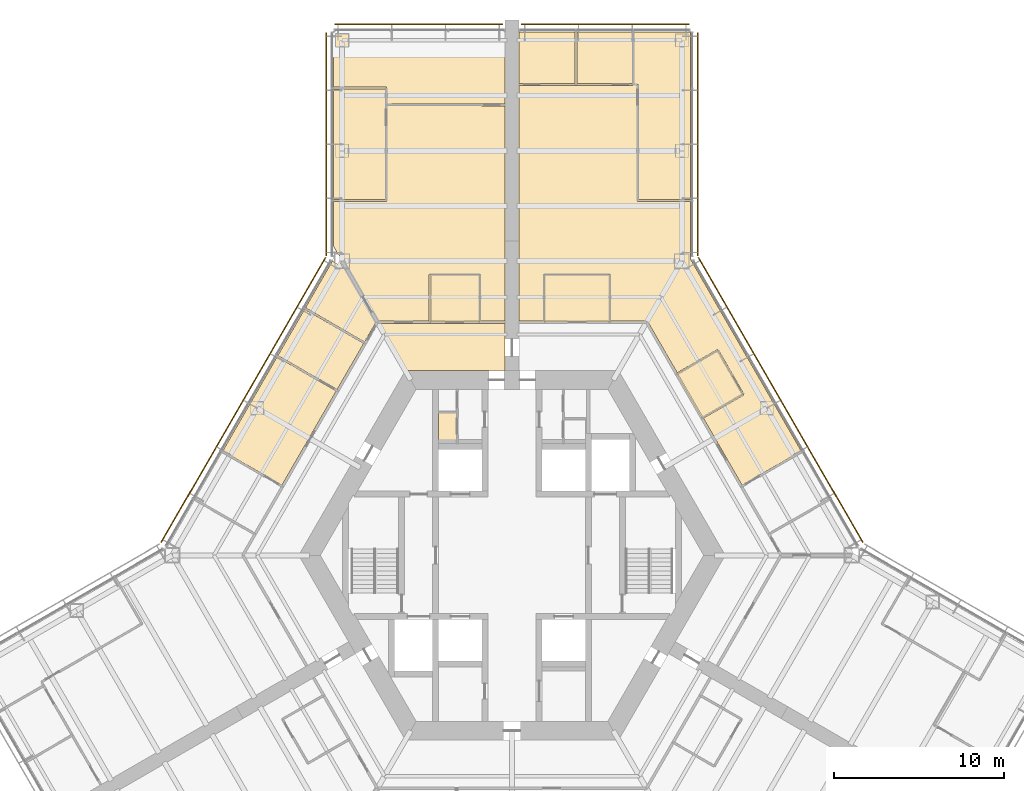
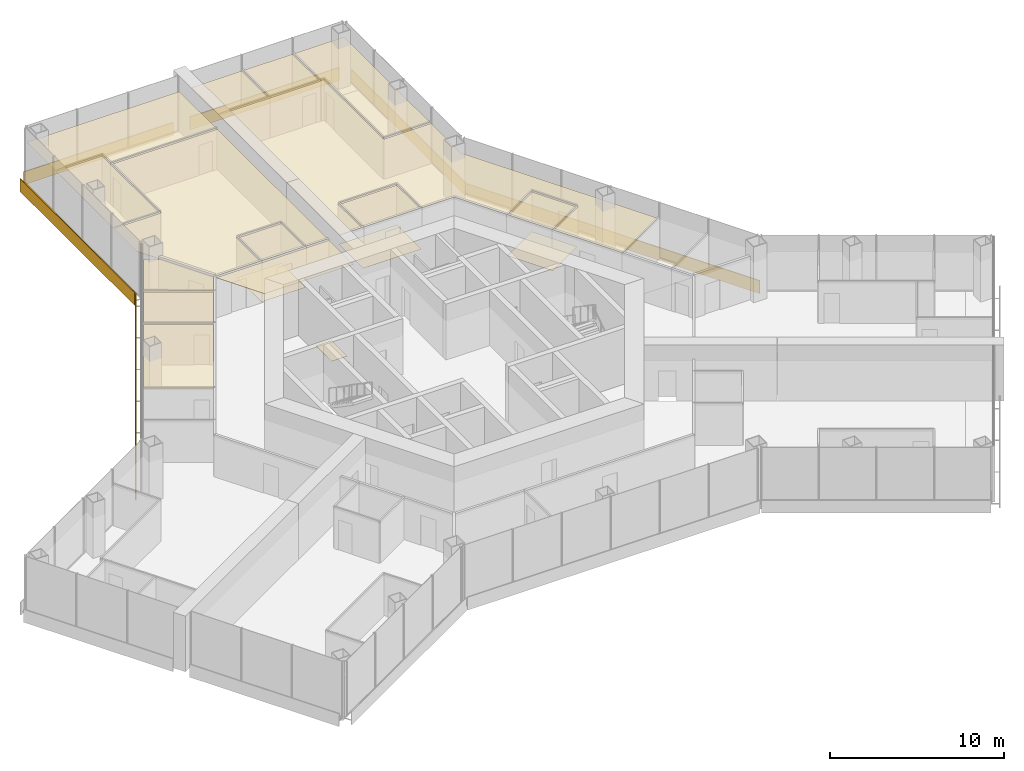
# One storey, part 19 of 19: 18 coverings, 6 shading devices.
"""IFC4 building model written with IfcOpenShell, lengths in metres."""

from ifc_helpers import new_model, si_unit, direction, frame, origin, origin_2d, place, context, subcontext, project, spatial, polyline, rectangle, outline, extrude, material, layer, layer_set, type_object, element, save


model = new_model("IFC4")

# Units and contexts
model_context = context("Model", 3, precision=1e-05, world=origin(), true_north=direction((0.0, 1.0)))
body_context = subcontext(model_context, "Body", "Model", "MODEL_VIEW")
ifc_project = project(units=[si_unit("LENGTHUNIT", "METRE"), si_unit("AREAUNIT", "SQUARE_METRE"), si_unit("VOLUMEUNIT", "CUBIC_METRE"), si_unit("PLANEANGLEUNIT", "RADIAN"), si_unit("MASSUNIT", "GRAM", prefix="KILO")], contexts=[model_context])

# Site, building, storey
site_placement = place(None, origin())
site = spatial("IfcSite", under=ifc_project, at=site_placement, CompositionType="ELEMENT")
building_placement = place(site_placement, origin())
building = spatial("IfcBuilding", under=site, at=building_placement, Name="Kasaneha Research Tower", CompositionType="ELEMENT")
storey_placement = place(building_placement, frame((0.0, 0.0, 100.199951171875)))
storey = spatial("IfcBuildingStorey", under=building, at=storey_placement, Name="L25", CompositionType="ELEMENT", Elevation=100.199951171875)

# Coverings
ifc_material_1 = material(Name="Gypsum ceiling board", Category="gypsum")
ifc_layer_1 = layer(ifc_material_1, 0.02001953125)
ifc_layer_set_1 = layer_set([ifc_layer_1], Name="Suspended ceiling 20")
covering_type_1 = type_object("IfcCoveringType", Name="Suspended ceiling 20", PredefinedType="CEILING", material=ifc_layer_set_1)
covering_1_placement = place(storey_placement, frame((0.0, 0.0, 2.800048828125)))
element("IfcCovering", 1, at=covering_1_placement, inside=storey, type_object=covering_type_1, Name="Ceiling L25-27", PredefinedType="CEILING", context=body_context, shape_type="SweptSolid", body=[
    extrude(outline(polyline([(1.954345703125, 13.800048828125), (1.9501953125, 16.47509765625), (5.70703125, 16.47509765625), (5.70263671875, 13.800048828125), (1.954345703125, 13.800048828125)])), origin(), (0.0, 0.0, 1.0), 0.02001953125),
])
covering_2_placement = place(storey_placement, frame((0.0, 0.0, 2.800048828125)))
element("IfcCovering", 2, at=covering_2_placement, inside=storey, type_object=covering_type_1, Name="Ceiling L25-28", PredefinedType="CEILING", context=body_context, shape_type="SweptSolid", body=[
    extrude(outline(polyline([(9.7783203125, 10.663330078125), (12.0927734375, 12.004638671875), (13.542724609375, 9.4931640625), (11.223876953125, 8.159423828125), (9.7783203125, 10.663330078125)])), origin(), (0.0, 0.0, 1.0), 0.02001953125),
])
covering_3_placement = place(storey_placement, frame((0.0, 0.0, 2.800048828125)))
element("IfcCovering", 3, at=covering_3_placement, inside=storey, type_object=covering_type_1, Name="Ceiling L25-29", PredefinedType="CEILING", context=body_context, shape_type="SweptSolid", body=[
    extrude(outline(polyline([(7.39892578125, 27.719482421875), (7.13330078125, 27.719970703125), (7.13330078125, 27.719970703125), (7.188232421875, 27.719970703125), (7.18359375, 30.800537109375), (7.1337890625, 30.800537109375), (7.1337890625, 30.821044921875), (10.50048828125, 30.820556640625), (10.5, 20.89111328125), (10.5, 20.941162109375), (7.449951171875, 20.941162109375), (7.448974609375, 27.719482421875), (7.39892578125, 27.719482421875), (7.39892578125, 27.719482421875)])), origin(), (0.0, 0.0, 1.0), 0.02001953125),
])
covering_4_placement = place(storey_placement, frame((0.0, 0.0, 2.800048828125)))
element("IfcCovering", 4, at=covering_4_placement, inside=storey, type_object=covering_type_1, Name="Ceiling L25-30", PredefinedType="CEILING", context=body_context, shape_type="SweptSolid", body=[
    extrude(outline(polyline([(7.13330078125, 30.820556640625), (7.13330078125, 30.800537109375), (7.083740234375, 30.800537109375), (7.088134765625, 27.7744140625), (3.821533203125, 27.77490234375), (3.816650390625, 30.800537109375), (3.7666015625, 30.800537109375), (3.7666015625, 30.820556640625), (7.13330078125, 30.820556640625)])), origin(), (0.0, 0.0, 1.0), 0.02001953125),
])
covering_5_placement = place(storey_placement, frame((0.0, 0.0, 2.800048828125)))
element("IfcCovering", 5, at=covering_5_placement, inside=storey, type_object=covering_type_1, Name="Ceiling L25-31", PredefinedType="CEILING", context=body_context, shape_type="SweptSolid", body=[
    extrude(outline(polyline([(3.7666015625, 30.820556640625), (3.7666015625, 30.800537109375), (3.716796875, 30.800537109375), (3.7216796875, 27.774658203125), (0.419921875, 27.7705078125), (0.419921875, 27.720458984375), (0.39990234375, 27.720458984375), (0.39990234375, 30.820556640625), (3.7666015625, 30.820556640625)])), origin(), (0.0, 0.0, 1.0), 0.02001953125),
])
covering_6_placement = place(storey_placement, frame((0.0, 0.0, 2.800048828125)))
element("IfcCovering", 6, at=covering_6_placement, inside=storey, type_object=covering_type_1, Name="Ceiling L25-34", PredefinedType="CEILING", context=body_context, shape_type="SweptSolid", body=[
    extrude(outline(polyline([(13.611572265625, 9.474853515625), (13.611328125, 9.47509765625), (13.654296875, 9.5), (12.154296875, 12.097900390625), (12.111572265625, 12.0732421875), (12.111328125, 12.073486328125), (12.111083984375, 12.0732421875), (12.0859375, 12.1162109375), (9.728271484375, 10.75), (7.989013671875, 13.762451171875), (7.924560546875, 13.725341796875), (7.924560546875, 13.725341796875), (7.924072265625, 13.725341796875), (7.924072265625, 13.800048828125), (5.802734375, 13.800048828125), (5.806884765625, 16.52490234375), (5.757080078125, 16.52490234375), (5.757080078125, 16.525390625), (5.757080078125, 16.525390625), (5.757080078125, 16.574951171875), (1.89990234375, 16.574951171875), (1.89990234375, 16.525390625), (1.899658203125, 16.525390625), (1.899658203125, 16.52490234375), (1.85009765625, 16.52490234375), (1.8544921875, 13.800048828125), (0.419921875, 13.800048828125), (0.419921875, 13.7255859375), (0.39990234375, 13.7255859375), (0.39990234375, 27.719970703125), (0.419921875, 27.719970703125), (0.420166015625, 27.67041015625), (3.766845703125, 27.6748046875), (7.13330078125, 27.674560546875), (7.13330078125, 27.719482421875), (7.39892578125, 27.719482421875), (7.39892578125, 27.719482421875), (7.34912109375, 27.719482421875), (7.35009765625, 20.89111328125), (7.399658203125, 20.89111328125), (7.399658203125, 20.890869140625), (7.39990234375, 20.890869140625), (7.39990234375, 20.841064453125), (10.5, 20.841064453125), (10.5, 17.45458984375), (17.055908203125, 6.09912109375), (17.055908203125, 6.09912109375), (17.03125, 6.14208984375), (13.551513671875, 4.128173828125), (11.27392578125, 8.072998046875), (13.635986328125, 9.431640625), (13.611328125, 9.474609375), (13.611572265625, 9.474853515625)])), origin(), (0.0, 0.0, 1.0), 0.02001953125),
])
covering_7_placement = place(storey_placement, frame((0.0, 0.0, 2.800048828125)))
element("IfcCovering", 7, at=covering_7_placement, inside=storey, type_object=covering_type_1, Name="Ceiling L25-35", PredefinedType="CEILING", context=body_context, shape_type="SweptSolid", body=[
    extrude(outline(polyline([(-0.39990234375, 11.72509765625), (-0.39990234375, 10.875), (-6.278564453125, 10.875), (-7.880859375, 13.64990234375), (-4.833984375, 13.64990234375), (-4.824462890625, 13.64990234375), (-1.904541015625, 13.64990234375), (-1.89501953125, 13.64990234375), (-0.419921875, 13.64990234375), (-0.419921875, 13.72509765625), (-0.39990234375, 13.72509765625), (-0.39990234375, 12.72509765625), (-0.39990234375, 11.72509765625)])), origin(), (0.0, 0.0, 1.0), 0.02001953125),
])
covering_8_placement = place(storey_placement, frame((0.0, 0.0, 2.800048828125)))
element("IfcCovering", 8, at=covering_8_placement, inside=storey, type_object=covering_type_1, Name="Ceiling L25-36", PredefinedType="CEILING", context=body_context, shape_type="SweptSolid", body=[
    extrude(outline(polyline([(-4.774658203125, 13.800048828125), (-4.77880859375, 16.47509765625), (-1.9501953125, 16.47509765625), (-1.954345703125, 13.800048828125), (-4.774658203125, 13.800048828125)])), origin(), (0.0, 0.0, 1.0), 0.02001953125),
])
covering_9_placement = place(storey_placement, frame((0.0, 0.0, 2.800048828125)))
element("IfcCovering", 9, at=covering_9_placement, inside=storey, type_object=covering_type_1, Name="Ceiling L25-37", PredefinedType="CEILING", context=body_context, shape_type="SweptSolid", body=[
    extrude(outline(polyline([(-10.5, 27.460693359375), (-7.449951171875, 27.460693359375), (-7.449951171875, 26.5244140625), (-7.449951171875, 26.514404296875), (-7.449951171875, 20.941162109375), (-10.5, 20.941162109375), (-10.5, 27.460693359375)])), origin(), (0.0, 0.0, 1.0), 0.02001953125),
])
covering_10_placement = place(storey_placement, frame((0.0, 0.0, 2.800048828125)))
element("IfcCovering", 10, at=covering_10_placement, inside=storey, type_object=covering_type_1, Name="Ceiling L25-38", PredefinedType="CEILING", context=body_context, shape_type="SweptSolid", body=[
    extrude(outline(polyline([(-0.419921875, 26.5205078125), (-0.419921875, 26.570556640625), (-7.35009765625, 26.574462890625), (-7.35009765625, 27.5107421875), (-7.39990234375, 27.5107421875), (-7.39990234375, 27.560791015625), (-10.5, 27.560791015625), (-10.5, 27.510986328125), (-10.50048828125, 27.510986328125), (-10.500244140625, 30.821044921875), (-0.39990234375, 30.820556640625), (-0.39990234375, 26.5205078125), (-0.419921875, 26.5205078125)])), origin(), (0.0, 0.0, 1.0), 0.02001953125),
])
covering_11_placement = place(storey_placement, frame((0.0, 0.0, 2.800048828125)))
element("IfcCovering", 11, at=covering_11_placement, inside=storey, type_object=covering_type_1, Name="Ceiling L25-39", PredefinedType="CEILING", context=body_context, shape_type="SweptSolid", body=[
    extrude(outline(polyline([(-1.89990234375, 16.525390625), (-1.89990234375, 16.574951171875), (-4.8291015625, 16.574951171875), (-4.8291015625, 16.525390625), (-4.8291015625, 16.52490234375), (-4.87890625, 16.52490234375), (-4.87451171875, 13.800048828125), (-7.90087890625, 13.800048828125), (-7.90087890625, 13.725341796875), (-7.92431640625, 13.725341796875), (-10.5, 18.1865234375), (-10.5, 20.841064453125), (-7.39990234375, 20.841064453125), (-7.39990234375, 20.890869140625), (-7.399658203125, 20.890869140625), (-7.399658203125, 20.89111328125), (-7.35009765625, 20.89111328125), (-7.35009765625, 26.474365234375), (-0.419921875, 26.470458984375), (-0.419921875, 26.52001953125), (-0.39990234375, 26.52001953125), (-0.39990234375, 13.7255859375), (-0.419921875, 13.7255859375), (-0.419921875, 13.800048828125), (-1.8544921875, 13.800048828125), (-1.85009765625, 16.52490234375), (-1.899658203125, 16.52490234375), (-1.899658203125, 16.525390625), (-1.89990234375, 16.525390625)])), origin(), (0.0, 0.0, 1.0), 0.02001953125),
])
covering_12_placement = place(storey_placement, frame((0.0, 0.0, 2.800048828125)))
element("IfcCovering", 12, at=covering_12_placement, inside=storey, type_object=covering_type_1, Name="Ceiling L25-45", PredefinedType="CEILING", context=body_context, shape_type="SweptSolid", body=[
    extrude(outline(polyline([(-13.809814453125, 11.7216796875), (-12.211669921875, 14.489990234375), (-8.732177734375, 12.475341796875), (-10.30078125, 9.758544921875), (-13.767578125, 11.755126953125), (-13.79248046875, 11.711669921875), (-13.809814453125, 11.7216796875)])), origin(), (0.0, 0.0, 1.0), 0.02001953125),
])
covering_13_placement = place(storey_placement, frame((0.0, 0.0, 2.800048828125)))
element("IfcCovering", 13, at=covering_13_placement, inside=storey, type_object=covering_type_1, Name="Ceiling L25-46", PredefinedType="CEILING", context=body_context, shape_type="SweptSolid", body=[
    extrude(outline(polyline([(-10.578369140625, 17.318603515625), (-9.709228515625, 16.81689453125), (-7.924072265625, 13.72509765625), (-7.935791015625, 13.705078125), (-8.000732421875, 13.742431640625), (-8.68212890625, 12.56201171875), (-12.16162109375, 14.576416015625), (-12.1865234375, 14.533203125), (-12.1865234375, 14.533203125), (-10.578369140625, 17.318603515625)])), origin(), (0.0, 0.0, 1.0), 0.02001953125),
])
covering_14_placement = place(storey_placement, frame((0.0, 0.0, 2.800048828125)))
element("IfcCovering", 14, at=covering_14_placement, inside=storey, type_object=covering_type_1, Name="Ceiling L25-48", PredefinedType="CEILING", context=body_context, shape_type="SweptSolid", body=[
    extrude(outline(polyline([(-17.055908203125, 6.09912109375), (-13.81005859375, 11.72119140625), (-13.792724609375, 11.711181640625), (-13.8173828125, 11.66845703125), (-10.350830078125, 9.671875), (-13.551513671875, 4.128173828125), (-17.03125, 6.14208984375), (-17.055908203125, 6.09912109375), (-17.055908203125, 6.09912109375)])), origin(), (0.0, 0.0, 1.0), 0.02001953125),
])

# Shading devices
ifc_material_2 = material(Name="Terracotta", Category="masonry")
ifc_layer_2 = layer(ifc_material_2, 0.06005859375)
ifc_layer_set_2 = layer_set([ifc_layer_2], Name="Terracotta baguette screen")
shading_device_type = type_object("IfcShadingDeviceType", Name="Terracotta baguette screen", PredefinedType="USERDEFINED", material=ifc_layer_set_2)
shading_device_1_placement = place(storey_placement, frame((15.82275390625, 9.13525390625, -0.449951171875), z_axis=(0.0, 0.0, 1.0), x_axis=(-0.49999996188, 0.866025425793, 0.0)))
element("IfcShadingDevice", 15, at=shading_device_1_placement, inside=storey, type_object=shading_device_type, Name="Baguette screen L25 07", ObjectType="TERRACOTTA BAGUETTE SCREEN", PredefinedType="USERDEFINED", context=body_context, shape_type="SweptSolid", body=[
    extrude(rectangle(XDim=19.37841796875, YDim=0.06005859375, at=origin_2d()), origin(), (0.0, 0.0, 1.0), 0.89990234375),
])
shading_device_2_placement = place(storey_placement, frame((10.949951171875, 24.200927734375, -0.449951171875), z_axis=(0.0, 0.0, 1.0), x_axis=(0.0, 1.0, 0.0)))
element("IfcShadingDevice", 16, at=shading_device_2_placement, inside=storey, type_object=shading_device_type, Name="Baguette screen L25 08", ObjectType="TERRACOTTA BAGUETTE SCREEN", PredefinedType="USERDEFINED", context=body_context, shape_type="SweptSolid", body=[
    extrude(rectangle(XDim=13.13916015625, YDim=0.06005859375, at=origin_2d()), origin(), (0.0, 0.0, 1.0), 0.89990234375),
])
for number, where, z_axis, x_axis, name in (
    (17, (5.5, 31.2705078125, -0.449951171875), (0.0, 0.0, 1.0), (-1.0, 0.0, 0.0), "Baguette screen L25 09"),
    (18, (-5.5, 31.2705078125, -0.449951171875), (0.0, 0.0, 1.0), (-1.0, 0.0, 0.0), "Baguette screen L25 10"),
):
    element("IfcShadingDevice", number, at=place(storey_placement, frame(where, z_axis=z_axis, x_axis=x_axis)), inside=storey, type_object=shading_device_type, Name=name, ObjectType="TERRACOTTA BAGUETTE SCREEN", PredefinedType="USERDEFINED", context=body_context, shape_type="SweptSolid", body=[
        extrude(rectangle(XDim=9.89990234375, YDim=0.06005859375, at=origin_2d()), origin(), (0.0, 0.0, 1.0), 0.89990234375),
    ])
shading_device_3_placement = place(storey_placement, frame((-10.949951171875, 24.200927734375, -0.449951171875), z_axis=(0.0, 0.0, 1.0), x_axis=(0.0, -1.0, 0.0)))
element("IfcShadingDevice", 19, at=shading_device_3_placement, inside=storey, type_object=shading_device_type, Name="Baguette screen L25 11", ObjectType="TERRACOTTA BAGUETTE SCREEN", PredefinedType="USERDEFINED", context=body_context, shape_type="SweptSolid", body=[
    extrude(rectangle(XDim=13.13916015625, YDim=0.06005859375, at=origin_2d()), origin(), (0.0, 0.0, 1.0), 0.89990234375),
])
shading_device_4_placement = place(storey_placement, frame((-15.82275390625, 9.13525390625, -0.449951171875), z_axis=(0.0, 0.0, 1.0), x_axis=(-0.49999996188, -0.866025425793, 0.0)))
element("IfcShadingDevice", 20, at=shading_device_4_placement, inside=storey, type_object=shading_device_type, Name="Baguette screen L25 12", ObjectType="TERRACOTTA BAGUETTE SCREEN", PredefinedType="USERDEFINED", context=body_context, shape_type="SweptSolid", body=[
    extrude(rectangle(XDim=19.37841796875, YDim=0.06005859375, at=origin_2d()), origin(), (0.0, 0.0, 1.0), 0.89990234375),
])

# Coverings
ifc_material_3 = material(Name="Vinyl sheet flooring", Category="plastic")
ifc_layer_3 = layer(ifc_material_3, 0.0048828125)
ifc_layer_set_3 = layer_set([ifc_layer_3], Name="Wet room sheet flooring 5")
covering_type_2 = type_object("IfcCoveringType", Name="Wet room sheet flooring 5", PredefinedType="FLOORING", material=ifc_layer_set_3)
covering_15_placement = place(storey_placement, origin())
element("IfcCovering", 21, at=covering_15_placement, inside=storey, type_object=covering_type_2, Name="Floor finish L25-07", PredefinedType="FLOORING", context=body_context, shape_type="SweptSolid", body=[
    extrude(outline(polyline([(-4.324951171875, 6.574951171875), (-4.324951171875, 8.375), (-3.27490234375, 8.375), (-3.27490234375, 6.574951171875), (-4.324951171875, 6.574951171875)])), origin(), (0.0, 0.0, 1.0), 0.005126953125),
])
covering_16_placement = place(storey_placement, origin())
element("IfcCovering", 22, at=covering_16_placement, inside=storey, type_object=covering_type_2, Name="Floor finish L25-27", PredefinedType="FLOORING", context=body_context, shape_type="SweptSolid", body=[
    extrude(outline(polyline([(1.89990234375, 16.52490234375), (5.757080078125, 16.52490234375), (5.757080078125, 13.72509765625), (1.89990234375, 13.72509765625), (1.89990234375, 16.52490234375)])), origin(), (0.0, 0.0, 1.0), 0.005126953125),
])
covering_17_placement = place(storey_placement, origin())
element("IfcCovering", 23, at=covering_17_placement, inside=storey, type_object=covering_type_2, Name="Floor finish L25-28", PredefinedType="FLOORING", context=body_context, shape_type="SweptSolid", body=[
    extrude(outline(polyline([(12.111083984375, 12.072998046875), (13.611083984375, 9.474853515625), (11.186279296875, 8.074951171875), (9.686279296875, 10.673095703125), (12.111083984375, 12.072998046875)])), origin(), (0.0, 0.0, 1.0), 0.005126953125),
])
covering_18_placement = place(storey_placement, origin())
element("IfcCovering", 24, at=covering_18_placement, inside=storey, type_object=covering_type_2, Name="Floor finish L25-36", PredefinedType="FLOORING", context=body_context, shape_type="SweptSolid", body=[
    extrude(outline(polyline([(-4.8291015625, 16.52490234375), (-1.89990234375, 16.52490234375), (-1.89990234375, 13.72509765625), (-4.8291015625, 13.72509765625), (-4.8291015625, 16.52490234375)])), origin(), (0.0, 0.0, 1.0), 0.005126953125),
])

save(model, "model.ifc")
